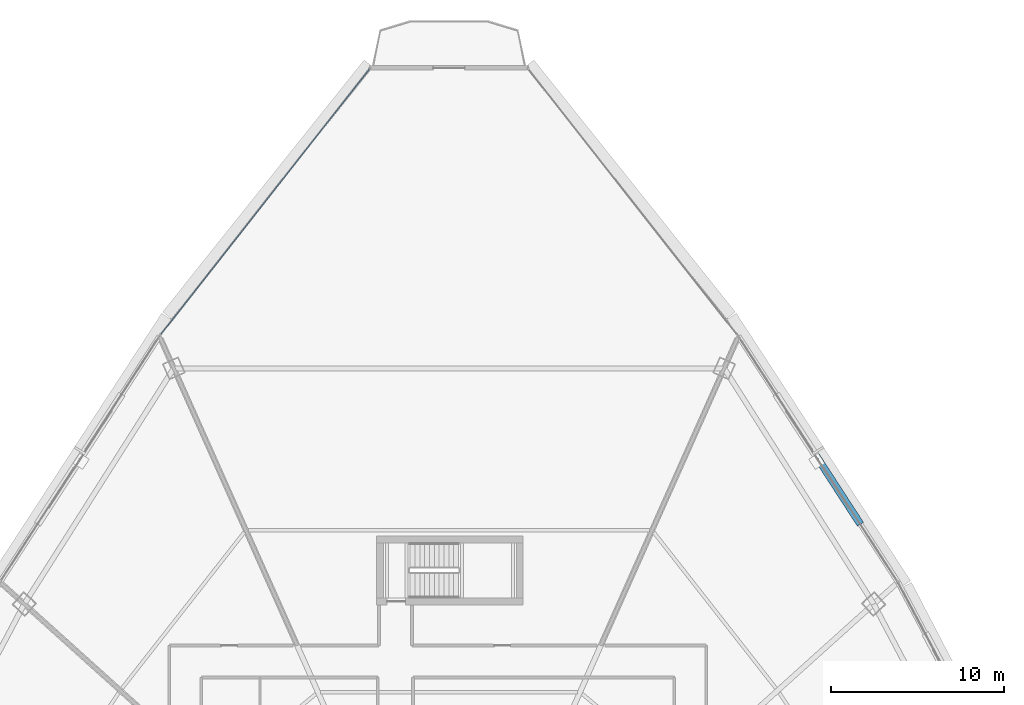
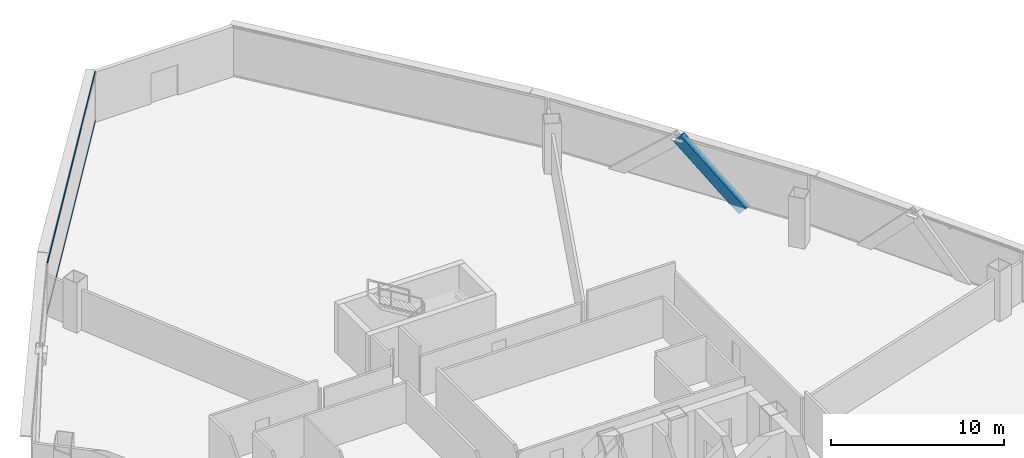
# One storey, part 25 of 39: 3 members, 1 element without a shape of its own.
"""IFC4 building model written with IfcOpenShell, lengths in metres."""

from ifc_helpers import new_model, si_unit, direction, frame, origin, origin_2d, place, context, subcontext, project, spatial, hollow_rectangle, extrude, source, transform, mapped, material, layer, layer_set, material_profile, profile_set, type_object, element, aggregate, save


model = new_model("IFC4")

# Units and contexts
model_context = context("Model", 3, precision=1e-05, world=origin(), true_north=direction((0.0, 1.0)))
body_context = subcontext(model_context, "Body", "Model", "MODEL_VIEW")
ifc_project = project(units=[si_unit("LENGTHUNIT", "METRE"), si_unit("AREAUNIT", "SQUARE_METRE"), si_unit("VOLUMEUNIT", "CUBIC_METRE"), si_unit("PLANEANGLEUNIT", "RADIAN"), si_unit("MASSUNIT", "GRAM", prefix="KILO"), si_unit("THERMODYNAMICTEMPERATUREUNIT", "KELVIN"), si_unit("POWERUNIT", "WATT")], contexts=[model_context])

# Site, building, storey
site_placement = place(None, origin())
site = spatial("IfcSite", under=ifc_project, at=site_placement, CompositionType="ELEMENT")
building_placement = place(site_placement, origin())
building = spatial("IfcBuilding", under=site, at=building_placement, Name="Yunzhuo Pagoda Commons", CompositionType="ELEMENT")
storey_placement = place(building_placement, frame((0.0, 0.0, 100.179931640625)))
storey = spatial("IfcBuildingStorey", under=building, at=storey_placement, Name="L25", CompositionType="ELEMENT", Elevation=100.179931640625)

# Member
ifc_material_1 = material(Name="Structural steel Q420B", Category="steel")
ifc_material_profile_1 = material_profile(ifc_material_1, hollow_rectangle(XDim=0.419921875, YDim=0.719970703125, WallThickness=0.028076171875, at=origin_2d()), Name="Structural steel Q420B")
ifc_profile_set_1 = profile_set([ifc_material_profile_1], Name="Structural steel Q420B")
member_type_1 = type_object("IfcMemberType", Name="M-DL1 Brace BOX 720x420x28", PredefinedType="BRACE", material=ifc_profile_set_1)
shared_shape_1 = source(origin(), body_context, "Body", "SweptSolid", [
    extrude(hollow_rectangle(XDim=0.419921875, YDim=0.719970703125, WallThickness=0.028076171875, at=origin_2d()), origin(), (0.0, 0.0, 1.0), 5.69775390625),
])
member_1_placement = place(storey_placement, frame((71.70068359375, 60.681640625, -0.260009765625), z_axis=(-0.405478180153, 0.625121121236, 0.666941548567), x_axis=(-0.838964834979, -0.544185635301, 0.0)))
element("IfcMember", 1, at=member_1_placement, inside=storey, type_object=member_type_1, Name="L25 facade diamond brace F2.3L", PredefinedType="BRACE", context=body_context, shape_type="MappedRepresentation", body=[
    mapped(shared_shape_1, transform((0.0, 0.0, 0.0), scale=1.0)),
])

# Curtain wall, members
ifc_material_2 = material(Name="Anodized aluminium 6063-T6", Category="aluminium")
ifc_layer = layer(ifc_material_2, 0.1650390625)
ifc_layer_set = layer_set([ifc_layer], Name="Anodized aluminium 6063-T6")
curtain_wall_type = type_object("IfcCurtainWallType", Name="CW-LOW Low-Zone Ribbon Curtain Wall", PredefinedType="NOTDEFINED", material=ifc_layer_set)
curtain_wall_placement = place(storey_placement, origin())
curtain_wall = element("IfcCurtainWall", 2, at=curtain_wall_placement, inside=storey, type_object=curtain_wall_type, Name="L25 curtain wall CW-L25-F3B1", PredefinedType="NOTDEFINED")
ifc_material_profile_2 = material_profile(ifc_material_2, hollow_rectangle(XDim=0.06005859375, YDim=0.139892578125, WallThickness=0.00341796875, at=origin_2d()), Name="Anodized aluminium 6063-T6")
ifc_profile_set_2 = profile_set([ifc_material_profile_2], Name="Anodized aluminium 6063-T6")
member_type_2 = type_object("IfcMemberType", Name="CW-LOW-T Transom RHS 140x60x3.5", PredefinedType="USERDEFINED", material=ifc_profile_set_2)
shared_shape_2 = source(origin(), body_context, "Body", "SweptSolid", [
    extrude(hollow_rectangle(XDim=0.06005859375, YDim=0.139892578125, WallThickness=0.00341796875, at=origin_2d()), origin(), (0.0, 0.0, 1.0), 19.558349609375),
])
member_2_placement = place(storey_placement, frame((43.40234375, 86.853759765625, 0.030029296875), z_axis=(-0.617957159447, -0.786211771146, 0.0), x_axis=(0.786211771146, -0.617957159447, 0.0)))
member_2 = element("IfcMember", 3, at=member_2_placement, type_object=member_type_2, Name="CW transom 1.1", ObjectType="TRANSOM", PredefinedType="USERDEFINED", context=body_context, shape_type="MappedRepresentation", body=[
    mapped(shared_shape_2, transform((0.0, 0.0, 0.0), scale=1.0)),
])
member_3_placement = place(storey_placement, frame((43.40234375, 86.853759765625, 3.510009765625), z_axis=(-0.617957159447, -0.786211771146, 0.0), x_axis=(0.786211771146, -0.617957159447, 0.0)))
member_3 = element("IfcMember", 4, at=member_3_placement, type_object=member_type_2, Name="CW transom 1.2", ObjectType="TRANSOM", PredefinedType="USERDEFINED", context=body_context, shape_type="MappedRepresentation", body=[
    mapped(shared_shape_2, transform((0.0, 0.0, 0.0), scale=1.0)),
])
aggregate(curtain_wall, [member_2, member_3])

save(model, "model.ifc")
